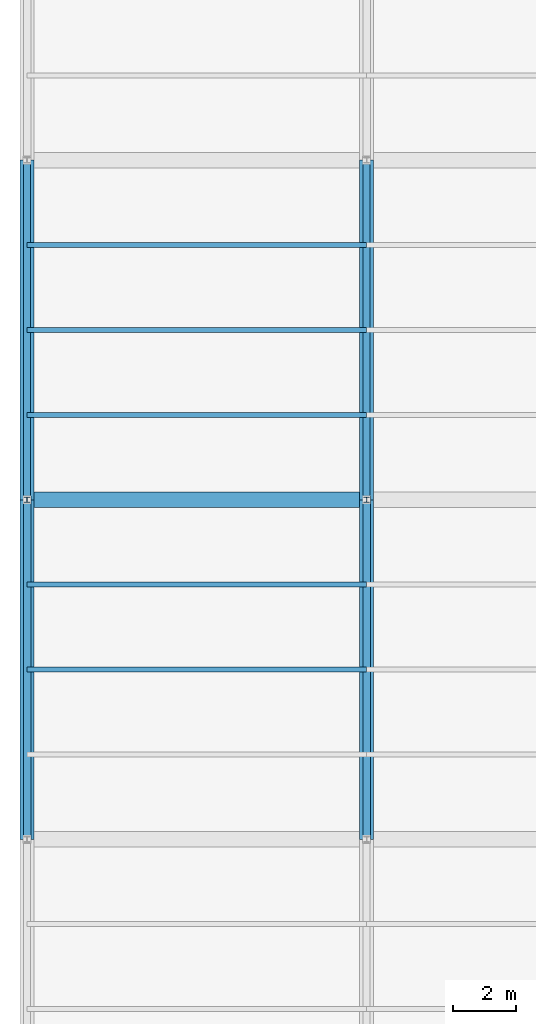
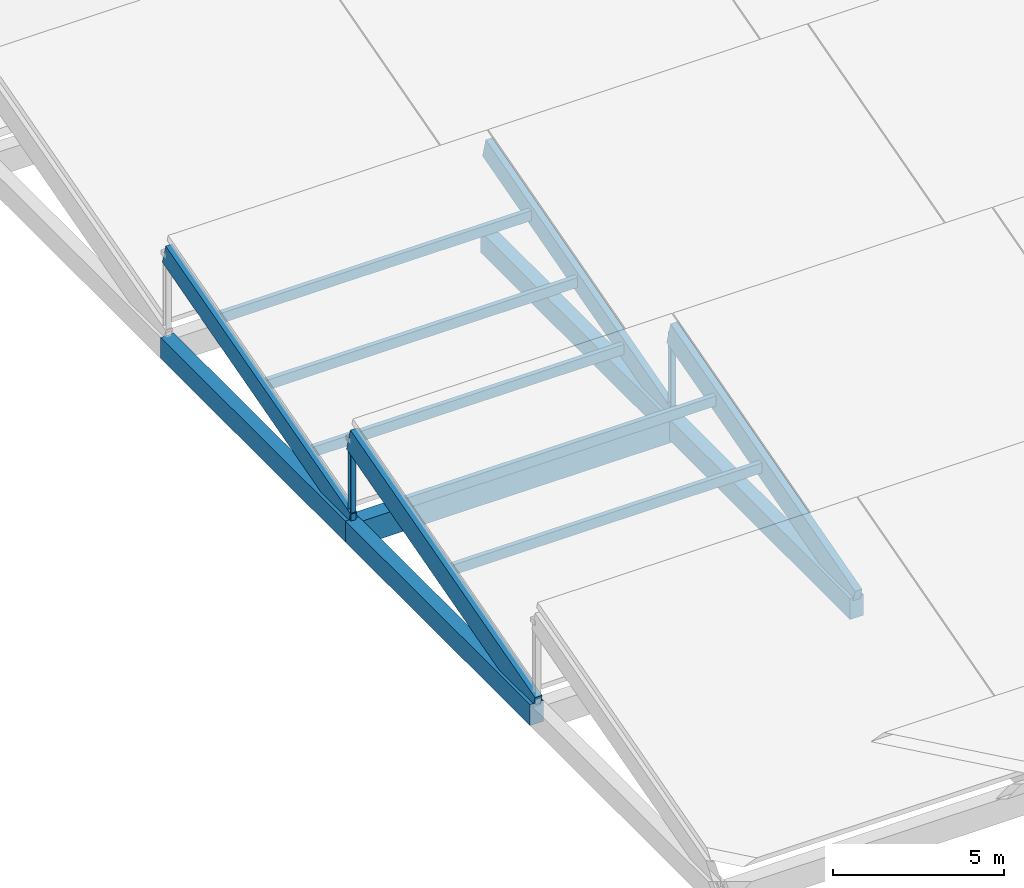
# One storey, part 22 of 112: 11 members, 5 beams.
"""IFC4 building model written with IfcOpenShell, lengths in metres."""

from ifc_helpers import new_model, si_unit, direction, frame, origin, origin_2d, place, context, subcontext, project, spatial, rectangle, i_section, extrude, material, material_profile, profile_set, type_object, element, save


model = new_model("IFC4")

# Units and contexts
model_context = context("Model", 3, precision=1e-05, world=origin(), true_north=direction((0.0, 1.0)))
body_context = subcontext(model_context, "Body", "Model", "MODEL_VIEW")
ifc_project = project(units=[si_unit("LENGTHUNIT", "METRE"), si_unit("AREAUNIT", "SQUARE_METRE"), si_unit("VOLUMEUNIT", "CUBIC_METRE"), si_unit("PLANEANGLEUNIT", "RADIAN"), si_unit("MASSUNIT", "GRAM", prefix="KILO")], contexts=[model_context])

# Site, building, storey
site_placement = place(None, origin())
site = spatial("IfcSite", under=ifc_project, at=site_placement, CompositionType="ELEMENT")
building_placement = place(site_placement, origin())
building = spatial("IfcBuilding", under=site, at=building_placement, Name="Zwinboog Wholesale Market", CompositionType="ELEMENT")
storey_placement = place(building_placement, frame((0.0, 0.0, 19.080078125)))
storey = spatial("IfcBuildingStorey", under=building, at=storey_placement, Name="Roof", CompositionType="ELEMENT", Elevation=19.080078125)

# Beams
ifc_material_1 = material(Name="Precast concrete C45/55", Category="concrete")
ifc_material_profile_1 = material_profile(ifc_material_1, rectangle(XDim=0.5, YDim=0.85009765625, at=origin_2d()), Name="PC 500x850")
ifc_profile_set_1 = profile_set([ifc_material_profile_1], Name="Precast concrete C45/55")
beam_type_1 = type_object("IfcBeamType", Name="BT-03", PredefinedType="BEAM", material=ifc_profile_set_1)
beam_1_placement = place(storey_placement, frame((0.0, 86.39990234375, -9.425048828125), z_axis=(1.0, 0.0, 0.0), x_axis=(0.0, 1.0, 0.0)))
element("IfcBeam", 1, at=beam_1_placement, inside=storey, type_object=beam_type_1, Name="BG-03 (BMG-Roof-0000-0864-1179)", PredefinedType="BEAM", context=body_context, shape_type="SweptSolid", body=[
    extrude(rectangle(XDim=0.5, YDim=0.85009765625, at=origin_2d()), origin(), (0.0, 0.0, 1.0), 10.800048828125),
])
ifc_material_profile_2 = material_profile(ifc_material_1, rectangle(XDim=0.449951171875, YDim=0.75, at=origin_2d()), Name="PC 450x750")
ifc_profile_set_2 = profile_set([ifc_material_profile_2], Name="Precast concrete C45/55")
beam_type_2 = type_object("IfcBeamType", Name="BT-04", PredefinedType="BEAM", material=ifc_profile_set_2)
beam_2_placement = place(storey_placement, frame((0.0, 75.60009765625, -9.375), z_axis=(0.0, 1.0, 0.0), x_axis=(-1.0, 0.0, 0.0)))
element("IfcBeam", 2, at=beam_2_placement, inside=storey, type_object=beam_type_2, Name="BG-04 (BMG-Roof-0000-0756-1208)", PredefinedType="BEAM", context=body_context, shape_type="SweptSolid", body=[
    extrude(rectangle(XDim=0.449951171875, YDim=0.75, at=origin_2d()), origin(), (0.0, 0.0, 1.0), 10.7998046875),
])
beam_3_placement = place(storey_placement, frame((0.0, 86.39990234375, -9.375), z_axis=(0.0, 1.0, 0.0), x_axis=(-1.0, 0.0, 0.0)))
element("IfcBeam", 3, at=beam_3_placement, inside=storey, type_object=beam_type_2, Name="BG-04 (BMG-Roof-0000-0864-1209)", PredefinedType="BEAM", context=body_context, shape_type="SweptSolid", body=[
    extrude(rectangle(XDim=0.449951171875, YDim=0.75, at=origin_2d()), origin(), (0.0, 0.0, 1.0), 10.800048828125),
])
beam_4_placement = place(storey_placement, frame((10.800048828125, 75.60009765625, -9.375), z_axis=(0.0, 1.0, 0.0), x_axis=(-1.0, 0.0, 0.0)))
element("IfcBeam", 4, at=beam_4_placement, inside=storey, type_object=beam_type_2, Name="BG-04 (BMG-Roof-0108-0756-1218)", PredefinedType="BEAM", context=body_context, shape_type="SweptSolid", body=[
    extrude(rectangle(XDim=0.449951171875, YDim=0.75, at=origin_2d()), origin(), (0.0, 0.0, 1.0), 10.7998046875),
])
beam_5_placement = place(storey_placement, frame((10.800048828125, 86.39990234375, -9.375), z_axis=(0.0, 1.0, 0.0), x_axis=(-1.0, 0.0, 0.0)))
element("IfcBeam", 5, at=beam_5_placement, inside=storey, type_object=beam_type_2, Name="BG-04 (BMG-Roof-0108-0864-1219)", PredefinedType="BEAM", context=body_context, shape_type="SweptSolid", body=[
    extrude(rectangle(XDim=0.449951171875, YDim=0.75, at=origin_2d()), origin(), (0.0, 0.0, 1.0), 10.800048828125),
])

# Members
ifc_material_2 = material(Name="Steel S355", Category="steel")
ifc_material_profile_3 = material_profile(ifc_material_2, i_section(OverallWidth=0.179931640625, OverallDepth=0.1708984375, WebThickness=0.006103515625, FlangeThickness=0.009521484375, FilletRadius=0.014892578125, at=origin_2d()), Name="HEA 180")
ifc_profile_set_3 = profile_set([ifc_material_profile_3], Name="Steel S355")
member_type_1 = type_object("IfcMemberType", Name="MT-07", PredefinedType="BRACE", material=ifc_profile_set_3)
member_1_placement = place(storey_placement, frame((0.0, 86.39990234375, -9.2001953125), z_axis=(0.0, 0.0, 1.0), x_axis=(1.0, 0.0, 0.0)))
element("IfcMember", 6, at=member_1_placement, inside=storey, type_object=member_type_1, Name="DB-04 (MEM-Roof-0792)", PredefinedType="BRACE", context=body_context, shape_type="SweptSolid", body=[
    extrude(i_section(OverallWidth=0.179931640625, OverallDepth=0.1708984375, WebThickness=0.006103515625, FlangeThickness=0.009521484375, FilletRadius=0.014892578125, at=origin_2d()), origin(), (0.0, 0.0, 1.0), 3.074462890625),
])
member_2_placement = place(storey_placement, frame((10.800048828125, 86.39990234375, -9.2001953125), z_axis=(0.0, 0.0, 1.0), x_axis=(1.0, 0.0, 0.0)))
element("IfcMember", 7, at=member_2_placement, inside=storey, type_object=member_type_1, Name="DB-04 (MEM-Roof-0796)", PredefinedType="BRACE", context=body_context, shape_type="SweptSolid", body=[
    extrude(i_section(OverallWidth=0.179931640625, OverallDepth=0.1708984375, WebThickness=0.006103515625, FlangeThickness=0.009521484375, FilletRadius=0.014892578125, at=origin_2d()), origin(), (0.0, 0.0, 1.0), 3.0869140625),
])
ifc_material_3 = material(Name="Glulam GL28h", Category="wood")
ifc_material_profile_4 = material_profile(ifc_material_3, rectangle(XDim=0.239990234375, YDim=0.840087890625, at=origin_2d()), Name="GL28h 240x840")
ifc_profile_set_4 = profile_set([ifc_material_profile_4], Name="Glulam GL28h")
member_type_2 = type_object("IfcMemberType", Name="MT-09", PredefinedType="RAFTER", material=ifc_profile_set_4)
for number, where, z_axis, x_axis, name in (
    (8, (0.0, 75.60009765625, -9.125732421875), (0.0, 0.963516661409, 0.267648357342), (-1.0, 0.0, 0.0), "GR-01 (MEM-Roof-0793)"),
    (9, (10.800048828125, 75.60009765625, -9.11328125), (0.0, 0.963516661409, 0.267648357342), (-1.0, 0.0, 0.0), "GR-01 (MEM-Roof-0797)"),
):
    element("IfcMember", number, at=place(storey_placement, frame(where, z_axis=z_axis, x_axis=x_axis)), inside=storey, type_object=member_type_2, Name=name, PredefinedType="RAFTER", context=body_context, shape_type="SweptSolid", body=[
        extrude(rectangle(XDim=0.239990234375, YDim=0.840087890625, at=origin_2d()), origin(), (0.0, 0.0, 1.0), 11.208740234375),
    ])
ifc_material_profile_5 = material_profile(ifc_material_3, rectangle(XDim=0.219970703125, YDim=0.719970703125, at=origin_2d()), Name="GL28h 220x720")
ifc_profile_set_5 = profile_set([ifc_material_profile_5], Name="Glulam GL28h")
member_type_3 = type_object("IfcMemberType", Name="MT-10", PredefinedType="RAFTER", material=ifc_profile_set_5)
for number, where, z_axis, x_axis, name in (
    (10, (0.0, 86.39990234375, -9.065673828125), (0.0, 0.963518221675, 0.26764274042), (-1.0, 0.0, 0.0), "GR-02 (MEM-Roof-0811)"),
    (11, (10.800048828125, 86.39990234375, -9.05322265625), (0.0, 0.963518221675, 0.26764274042), (-1.0, 0.0, 0.0), "GR-02 (MEM-Roof-0815)"),
):
    element("IfcMember", number, at=place(storey_placement, frame(where, z_axis=z_axis, x_axis=x_axis)), inside=storey, type_object=member_type_3, Name=name, PredefinedType="RAFTER", context=body_context, shape_type="SweptSolid", body=[
        extrude(rectangle(XDim=0.219970703125, YDim=0.719970703125, at=origin_2d()), origin(), (0.0, 0.0, 1.0), 11.208984375),
    ])
ifc_material_profile_6 = material_profile(ifc_material_3, rectangle(XDim=0.159912109375, YDim=0.360107421875, at=origin_2d()), Name="GL28h 160x360")
ifc_profile_set_6 = profile_set([ifc_material_profile_6], Name="Glulam GL28h")
member_type_4 = type_object("IfcMemberType", Name="MT-12", PredefinedType="PURLIN", material=ifc_profile_set_6)
for number, where, z_axis, x_axis, name in (
    (12, (0.0, 83.699951171875, -6.845703125), (1.0, 0.0, 0.0), (0.0, 1.0, 0.0), "GP-01 (MEM-Roof-0795)"),
    (13, (0.0, 89.10009765625, -8.285888671875), (1.0, 0.0, 0.0), (0.0, 1.0, 0.0), "GP-01 (MEM-Roof-0812)"),
    (14, (0.0, 94.5, -6.785888671875), (1.0, 0.0, 0.0), (0.0, 1.0, 0.0), "GP-01 (MEM-Roof-0813)"),
    (15, (0.0, 81.0, -7.595703125), (1.0, 0.0, 0.0), (0.0, 1.0, 0.0), "GP-01 (MEM-PRL-Roof-0029)"),
    (16, (0.0, 91.800048828125, -7.535888671875), (1.0, 0.0, 0.0), (0.0, 1.0, 0.0), "GP-01 (MEM-PRL-Roof-0033)"),
):
    element("IfcMember", number, at=place(storey_placement, frame(where, z_axis=z_axis, x_axis=x_axis)), inside=storey, type_object=member_type_4, Name=name, PredefinedType="PURLIN", context=body_context, shape_type="SweptSolid", body=[
        extrude(rectangle(XDim=0.159912109375, YDim=0.360107421875, at=origin_2d()), origin(), (0.0, 0.0, 1.0), 10.800048828125),
    ])

save(model, "model.ifc")
